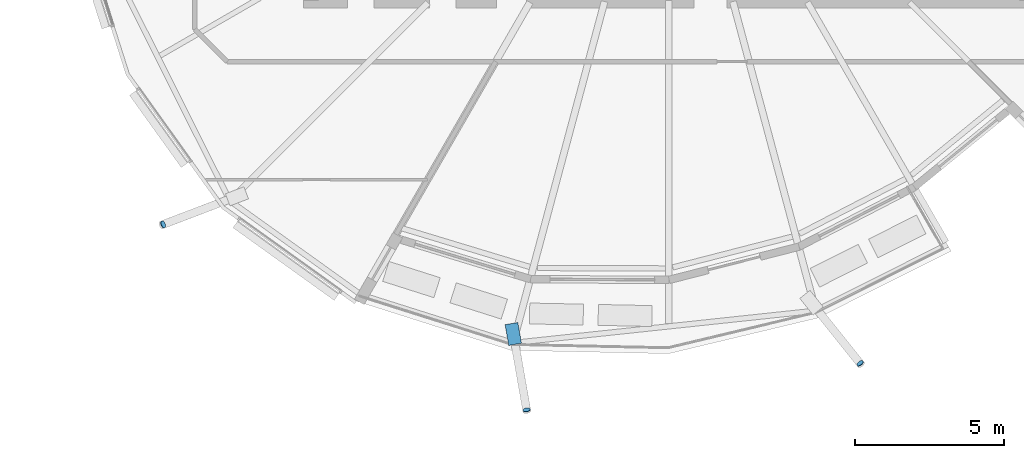
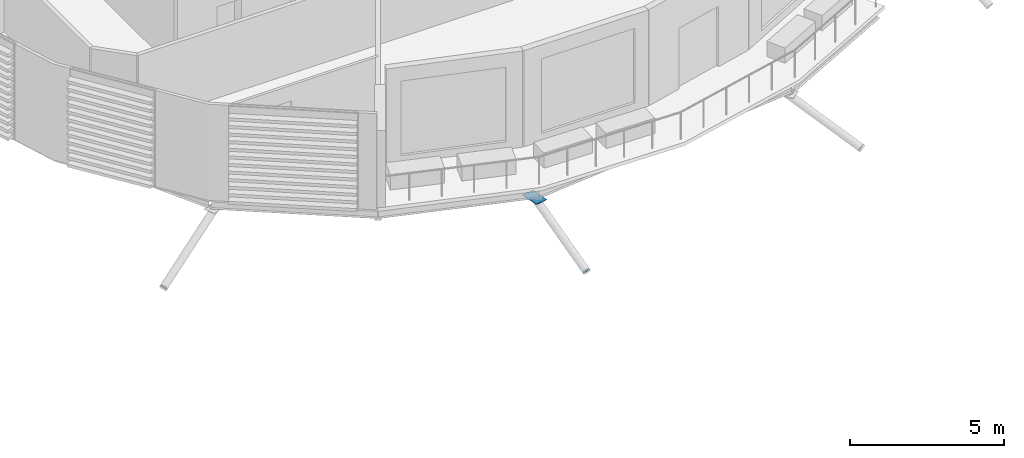
# One storey, part 30 of 41: 4 discrete accessories.
"""IFC4 building model written with IfcOpenShell, lengths in metres."""

import ifcopenshell
import ifcopenshell.guid

model = None  # the IFC model being written
_history = None  # IfcOwnerHistory: only IFC2X3 demands one
_inside = {}  # id of a spatial element -> (the spatial element, [elements in it])
_under = {}  # id of a project, library or spatial element -> (it, [spatial elements below it])
_declared = {}  # id of a project -> (the project, [libraries it declares])
_typed = {}  # id of a type object -> (the type object, [elements of that type])
_made_of = {}  # id of a material, layer set ... -> (it, [elements and type objects made of it])


def new_model(schema):
    """Start an empty IFC model of exactly this schema.

    Asked for "IFC4X3", IfcOpenShell would pick the latest addendum, in which some entities
    have other attributes; the version numbers below select the first issue.
    IFC2X3 requires an IfcOwnerHistory on every rooted entity: one is made here for all.
    """
    global model, _history
    if schema == "IFC4X3":
        model = ifcopenshell.file(schema_version=(4, 3, 0, 0))
    else:
        model = ifcopenshell.file(schema=schema)
    _inside.clear()
    _under.clear()
    _declared.clear()
    _typed.clear()
    _made_of.clear()
    _history = None
    if model.schema == "IFC2X3":
        org = make("IfcOrganization", Name="unknown")
        user = make(
            "IfcPersonAndOrganization",
            ThePerson=make("IfcPerson", FamilyName="unknown"),
            TheOrganization=org,
        )
        app = make(
            "IfcApplication",
            ApplicationDeveloper=org,
            Version="unknown",
            ApplicationFullName="unknown",
            ApplicationIdentifier="unknown",
        )
        _history = make(
            "IfcOwnerHistory",
            OwningUser=user,
            OwningApplication=app,
            ChangeAction="ADDED",
            CreationDate=0,
        )
    return model


def make(cls, **values):
    """One entity of the class cls with the attributes given. An attribute that is None is left unset."""
    return model.create_entity(
        cls, **{name: value for name, value in values.items() if value is not None}
    )


def rooted(cls, **values):
    """An entity with a GlobalId (a new one), such as an element, a storey or a relation."""
    return make(cls, GlobalId=ifcopenshell.guid.new(), OwnerHistory=_history, **values)


def si_unit(unit_type, name, prefix=None):
    """IfcSIUnit, for example si_unit("LENGTHUNIT", "METRE", prefix="MILLI")."""
    return make("IfcSIUnit", UnitType=unit_type, Prefix=prefix, Name=name)


def assignment(units):
    """IfcUnitAssignment: the units of a project."""
    return None if units is None else make("IfcUnitAssignment", Units=units)


def point(xyz):
    """IfcCartesianPoint."""
    return None if xyz is None else make("IfcCartesianPoint", Coordinates=xyz)


def direction(xyz):
    """IfcDirection."""
    return None if xyz is None else make("IfcDirection", DirectionRatios=xyz)


def frame(location, z_axis=None, x_axis=None):
    """IfcAxis2Placement3D, a coordinate frame: its origin and axes. An axis left out is left unset."""
    return make(
        "IfcAxis2Placement3D",
        Location=point(location),
        Axis=direction(z_axis),
        RefDirection=direction(x_axis),
    )


def frame_2d(location, x_axis=None):
    """IfcAxis2Placement2D, a coordinate frame in the plane: its origin and x axis."""
    return make(
        "IfcAxis2Placement2D", Location=point(location), RefDirection=direction(x_axis)
    )


def origin():
    """The frame at (0, 0, 0) with its axes left unset."""
    return frame((0.0, 0.0, 0.0))


def origin_2d():
    """The frame at (0, 0) in the plane with its x axis left unset."""
    return frame_2d((0.0, 0.0))


def place(relative_to, where):
    """IfcLocalPlacement: puts the frame where relative to a parent placement (None: the world)."""
    return make(
        "IfcLocalPlacement", PlacementRelTo=relative_to, RelativePlacement=where
    )


def context(
    kind, dimensions, precision=None, world=None, true_north=None, identifier=None
):
    """IfcGeometricRepresentationContext, for example the 3D "Model" context."""
    return make(
        "IfcGeometricRepresentationContext",
        ContextIdentifier=identifier,
        ContextType=kind,
        CoordinateSpaceDimension=dimensions,
        Precision=precision,
        WorldCoordinateSystem=world,
        TrueNorth=true_north,
    )


def subcontext(parent, identifier, kind, view, scale=None):
    """IfcGeometricRepresentationSubContext, for example "Body" below "Model"."""
    return make(
        "IfcGeometricRepresentationSubContext",
        ContextIdentifier=identifier,
        ContextType=kind,
        ParentContext=parent,
        TargetScale=scale,
        TargetView=view,
    )


def project(units=None, contexts=None):
    """IfcProject with its units and contexts."""
    return rooted(
        "IfcProject",
        Name="project",
        RepresentationContexts=contexts,
        UnitsInContext=assignment(units),
    )


def spatial(cls, under=None, at=None, **own):
    """A site, building, storey or space (cls), placed at a placement, below another one or the project."""
    s = rooted(cls, ObjectPlacement=at, **own)
    if under is not None:
        _under.setdefault(under.id(), (under, []))[1].append(s)
    return s


def polyline(points):
    """IfcPolyline through the points."""
    return make("IfcPolyline", Points=[point(p) for p in points])


def profile(cls, at=None, kind="AREA", **sizes):
    """A parametric profile (cls). Its sizes go by their IFC names, for example OverallWidth=200.0."""
    return make(cls, ProfileType=kind, Position=at, **sizes)


def rectangle(**sizes):
    """IfcRectangleProfileDef."""
    return profile("IfcRectangleProfileDef", **sizes)


def circle(**sizes):
    """IfcCircleProfileDef."""
    return profile("IfcCircleProfileDef", **sizes)


def outline(outer, holes=None, kind="AREA"):
    """IfcArbitraryClosedProfileDef: a profile drawn as a closed curve; with holes, ...WithVoids."""
    if holes is None:
        return make("IfcArbitraryClosedProfileDef", ProfileType=kind, OuterCurve=outer)
    return make(
        "IfcArbitraryProfileDefWithVoids",
        ProfileType=kind,
        OuterCurve=outer,
        InnerCurves=holes,
    )


def extrude(swept, where, along, depth):
    """IfcExtrudedAreaSolid: the profile swept, set in the frame where, extruded along a direction by depth."""
    return make(
        "IfcExtrudedAreaSolid",
        SweptArea=swept,
        Position=where,
        ExtrudedDirection=direction(along),
        Depth=depth,
    )


def shape(context_of_items, identifier, shape_type, items):
    """IfcShapeRepresentation: the items that make up one representation, for example the "Body"."""
    return make(
        "IfcShapeRepresentation",
        ContextOfItems=context_of_items,
        RepresentationIdentifier=identifier,
        RepresentationType=shape_type,
        Items=items,
    )


def material(Name=None, Category=None):
    """IfcMaterial."""
    return make("IfcMaterial", Name=Name, Category=Category)


def material_profile(
    of_material, cross_section, Name=None, Category=None, Priority=None
):
    """IfcMaterialProfile: a cross section and its material."""
    return make(
        "IfcMaterialProfile",
        Name=Name,
        Material=of_material,
        Profile=cross_section,
        Priority=Priority,
        Category=Category,
    )


def profile_set(profiles, Name=None, composite=None):
    """IfcMaterialProfileSet."""
    return make(
        "IfcMaterialProfileSet",
        Name=Name,
        MaterialProfiles=profiles,
        CompositeProfile=composite,
    )


def made_of(thing, what):
    """Note that an element or type object is made of a material, layer set ...; save() writes the relation."""
    if what is not None:
        _made_of.setdefault(what.id(), (what, []))[1].append(thing)
    return thing


def type_object(cls, material=None, **own):
    """A type object (cls), such as IfcWallType, which elements share."""
    return made_of(rooted(cls, **own), material)


def element(
    cls,
    number,
    at=None,
    inside=None,
    cuts=None,
    type_object=None,
    material=None,
    context=None,
    identifier="Body",
    shape_type=None,
    held_by="IfcProductDefinitionShape",
    body=None,
    shapes=None,
    **own,
):
    """One element of the class cls, such as IfcWall. Its Tag is "e" and its number.

    at: its placement. inside: the storey or other place that contains it. cuts: it is an
    opening in that element (IfcRelVoidsElement). A single representation is given by context,
    identifier, shape_type and body (its items); several are given by shapes. held_by: the class
    of the entity that holds the representations. save() writes the other relations.
    """
    e = rooted(cls, Tag="e%d" % number, ObjectPlacement=at, **own)
    if body is not None:
        shapes = [shape(context, identifier, shape_type, body)]
    if shapes is not None:
        e.Representation = make(held_by, Representations=shapes)
    if inside is not None:
        _inside.setdefault(inside.id(), (inside, []))[1].append(e)
    if cuts is not None:
        rooted(
            "IfcRelVoidsElement", RelatingBuildingElement=cuts, RelatedOpeningElement=e
        )
    if type_object is not None:
        _typed.setdefault(type_object.id(), (type_object, []))[1].append(e)
    return made_of(e, material)


def aggregate(whole, parts):
    """IfcRelAggregates: a whole, such as a stair, and the parts it consists of."""
    return rooted("IfcRelAggregates", RelatingObject=whole, RelatedObjects=parts)


def save(model, path):
    """Write the relations noted so far, then the file.

    IfcRelAggregates (storeys below a building ...), IfcRelContainedInSpatialStructure (elements
    in a storey), IfcRelDefinesByType, IfcRelAssociatesMaterial and IfcRelDeclares: one each for
    every whole, place, type object, material and project.
    """
    for whole, parts in _under.values():
        aggregate(whole, parts)
    for where, things in _inside.values():
        rooted(
            "IfcRelContainedInSpatialStructure",
            RelatedElements=things,
            RelatingStructure=where,
        )
    for kind, things in _typed.values():
        rooted("IfcRelDefinesByType", RelatedObjects=things, RelatingType=kind)
    for what, things in _made_of.values():
        rooted("IfcRelAssociatesMaterial", RelatedObjects=things, RelatingMaterial=what)
    for by, libraries in _declared.values():
        rooted("IfcRelDeclares", RelatingContext=by, RelatedDefinitions=libraries)
    model.write(path)


model = new_model("IFC4")

# Units and contexts
model_context = context("Model", 3, precision=1e-05, world=origin(), true_north=direction((0.0, 1.0)))
body_context = subcontext(model_context, "Body", "Model", "MODEL_VIEW")
ifc_project = project(units=[si_unit("LENGTHUNIT", "METRE"), si_unit("AREAUNIT", "SQUARE_METRE"), si_unit("VOLUMEUNIT", "CUBIC_METRE"), si_unit("PLANEANGLEUNIT", "RADIAN"), si_unit("MASSUNIT", "GRAM", prefix="KILO")], contexts=[model_context])

# Site, building, storey
site_placement = place(None, origin())
site = spatial("IfcSite", under=ifc_project, at=site_placement, CompositionType="ELEMENT")
building_placement = place(site_placement, origin())
building = spatial("IfcBuilding", under=site, at=building_placement, Name="Rimbun Link Towers", CompositionType="ELEMENT")
storey_placement = place(building_placement, frame((0.0, 0.0, 210.5)))
storey = spatial("IfcBuildingStorey", under=building, at=storey_placement, Name="L51", CompositionType="ELEMENT", Elevation=210.5)

# Discrete accessories
ifc_material_1 = material(Name="Steel S355J2H", Category="steel")
ifc_material_profile_1 = material_profile(ifc_material_1, circle(Radius=0.1240234375, at=origin_2d()), Name="PL D248")
ifc_profile_set_1 = profile_set([ifc_material_profile_1], Name="Steel S355J2H")
discrete_accessory_type_1 = type_object("IfcDiscreteAccessoryType", Name="Link foot sealing plate D248X20", PredefinedType="BRACKET", material=ifc_profile_set_1)
for number, where, z_axis, x_axis, name in (
    (1, (14.8056640625, -15.500244140625, -2.400390625), (-0.78905346079, -0.303482100304, -0.534128496535), (0.358979079309, -0.933345606203, 0.0), "Link foot sealing plate T2 L51 12"),
    (2, (26.98388671875, -21.713623046875, -2.253662109375), (0.158230961057, -0.85201286723, -0.499036107949), (0.983188736076, 0.182592193843, 0.0), "Link foot sealing plate T2 L51 14"),
    (3, (38.160400390625, -20.154296875, -2.254638671875), (0.535431973451, -0.681458875301, -0.498925247988), (0.786318338822, 0.617821551932, 0.0), "Link foot sealing plate T2 L51 16"),
):
    element("IfcDiscreteAccessory", number, at=place(storey_placement, frame(where, z_axis=z_axis, x_axis=x_axis)), inside=storey, type_object=discrete_accessory_type_1, Name=name, PredefinedType="BRACKET", context=body_context, shape_type="SweptSolid", body=[
        extrude(circle(Radius=0.1240234375, at=origin_2d()), origin(), (0.0, 0.0, 1.0), 0.02001953125),
    ])
ifc_material_2 = material(Name="Steel S355J2H", Category="steel")
ifc_material_profile_2 = material_profile(ifc_material_2, rectangle(XDim=0.43310546875, YDim=0.43310546875, at=origin_2d()), Name="PL 433x433")
ifc_profile_set_2 = profile_set([ifc_material_profile_2], Name="Steel S355J2H")
discrete_accessory_type_2 = type_object("IfcDiscreteAccessoryType", Name="Link head end plate 433X20", PredefinedType="BRACKET", material=ifc_profile_set_2)
discrete_accessory_placement = place(storey_placement, frame((0.0, 0.0, -0.7626953125)))
element("IfcDiscreteAccessory", 4, at=discrete_accessory_placement, inside=storey, type_object=discrete_accessory_type_2, Name="Link head end plate T2 L51 14", PredefinedType="BRACKET", context=body_context, shape_type="SweptSolid", body=[
    extrude(outline(polyline([(26.26416015625, -18.864501953125), (26.385986328125, -19.55908203125), (26.8125, -19.484130859375), (26.690673828125, -18.78955078125), (26.26416015625, -18.864501953125)])), origin(), (0.0, 0.0, 1.0), 0.02001953125),
])

save(model, "model.ifc")
